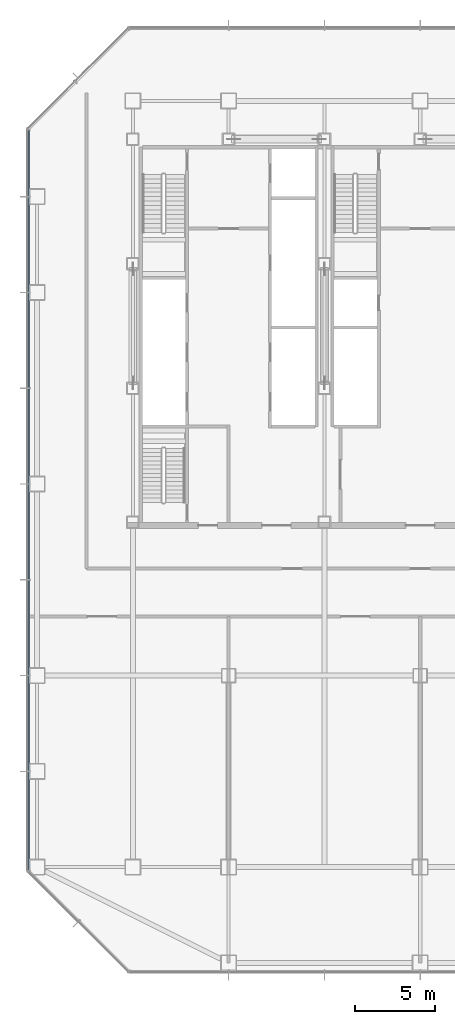
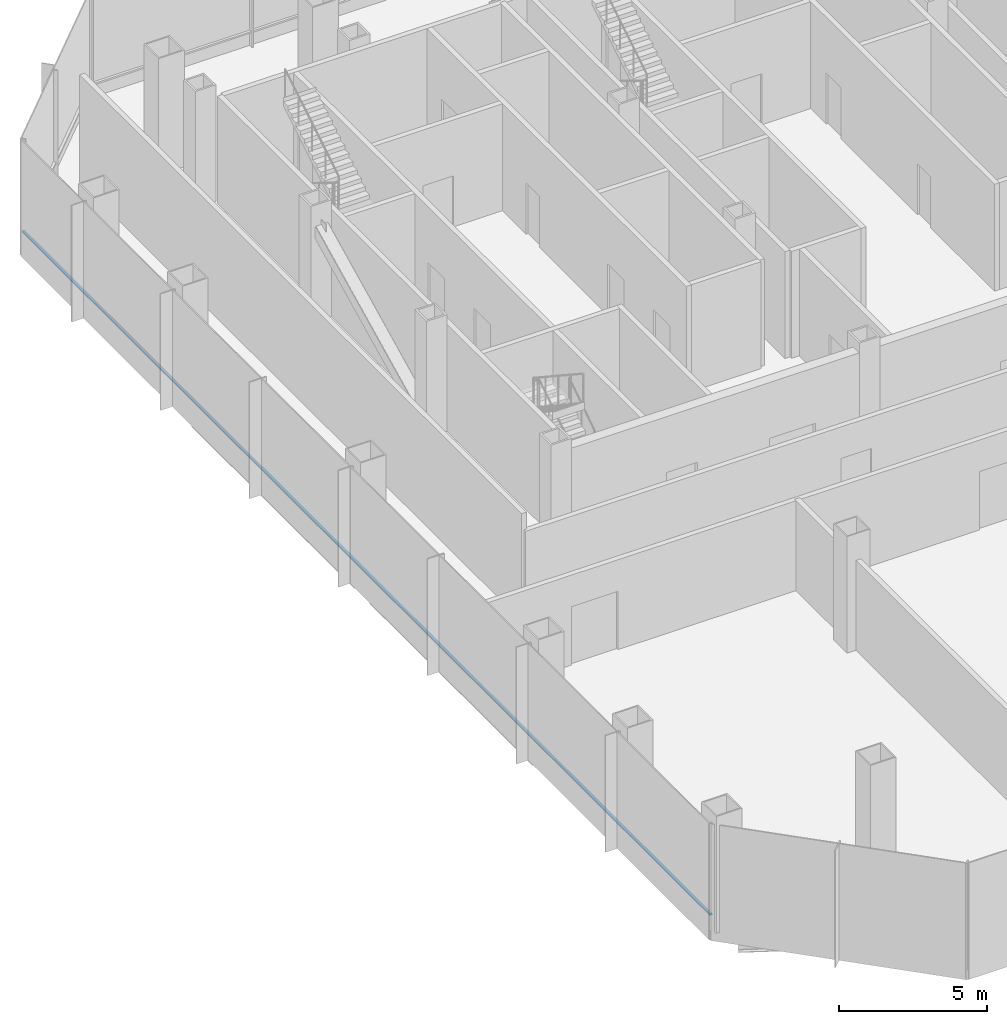
# One storey, part 5 of 33: 1 member, 1 element without a shape of its own.
"""IFC4 building model written with IfcOpenShell, lengths in metres."""

from ifc_helpers import new_model, si_unit, direction, frame, origin, origin_2d, place, context, subcontext, project, spatial, rectangle, extrude, material, material_profile, profile_set, type_object, element, aggregate, save


model = new_model("IFC4")

# Units and contexts
model_context = context("Model", 3, precision=1e-05, world=origin(), true_north=direction((0.0, 1.0)))
body_context = subcontext(model_context, "Body", "Model", "MODEL_VIEW")
ifc_project = project(units=[si_unit("LENGTHUNIT", "METRE"), si_unit("AREAUNIT", "SQUARE_METRE"), si_unit("VOLUMEUNIT", "CUBIC_METRE"), si_unit("PLANEANGLEUNIT", "RADIAN"), si_unit("MASSUNIT", "GRAM", prefix="KILO")], contexts=[model_context])

# Site, building, storey
site_placement = place(None, origin())
site = spatial("IfcSite", under=ifc_project, at=site_placement, CompositionType="ELEMENT")
building_placement = place(site_placement, origin())
building = spatial("IfcBuilding", under=site, at=building_placement, Name="Sorahane Residences", CompositionType="ELEMENT")
storey_placement = place(building_placement, frame((0.0, 0.0, 30.0)))
storey = spatial("IfcBuildingStorey", under=building, at=storey_placement, Name="L04", CompositionType="ELEMENT", Elevation=30.0)

# Curtain wall, member
ifc_material_1 = material(Name="Dark low-e glass and black anodised aluminium", Category="aluminium")
curtain_wall_type = type_object("IfcCurtainWallType", Name="Curtain wall CW-3 Podium unitised wall", PredefinedType="NOTDEFINED", material=ifc_material_1)
curtain_wall_placement = place(storey_placement, origin())
curtain_wall = element("IfcCurtainWall", 1, at=curtain_wall_placement, inside=storey, type_object=curtain_wall_type, Name="CW-3 curtain wall L04 W1", PredefinedType="NOTDEFINED")
ifc_material_2 = material(Name="Black anodised aluminium", Category="aluminium")
ifc_material_profile = material_profile(ifc_material_2, rectangle(XDim=0.10009765625, YDim=0.06005859375, at=origin_2d()), Name="Curtain wall transom CW-3 black anodised aluminium 60x100")
ifc_profile_set = profile_set([ifc_material_profile], Name="Black anodised aluminium")
member_type = type_object("IfcMemberType", Name="Curtain wall transom CW-3 black anodised aluminium 60x100", PredefinedType="USERDEFINED", material=ifc_profile_set)
member_placement = place(storey_placement, frame((-0.530029296875, 46.198486328125, 0.60009765625), z_axis=(0.0, -1.0, 0.0), x_axis=(1.0, 0.0, 0.0)))
member = element("IfcMember", 2, at=member_placement, type_object=member_type, Name="CW-3 transom L04 W1", ObjectType="TRANSOM", PredefinedType="USERDEFINED", context=body_context, shape_type="SweptSolid", body=[
    extrude(rectangle(XDim=0.10009765625, YDim=0.06005859375, at=origin_2d()), origin(), (0.0, 0.0, 1.0), 46.39697265625),
])
aggregate(curtain_wall, [member])

save(model, "model.ifc")
